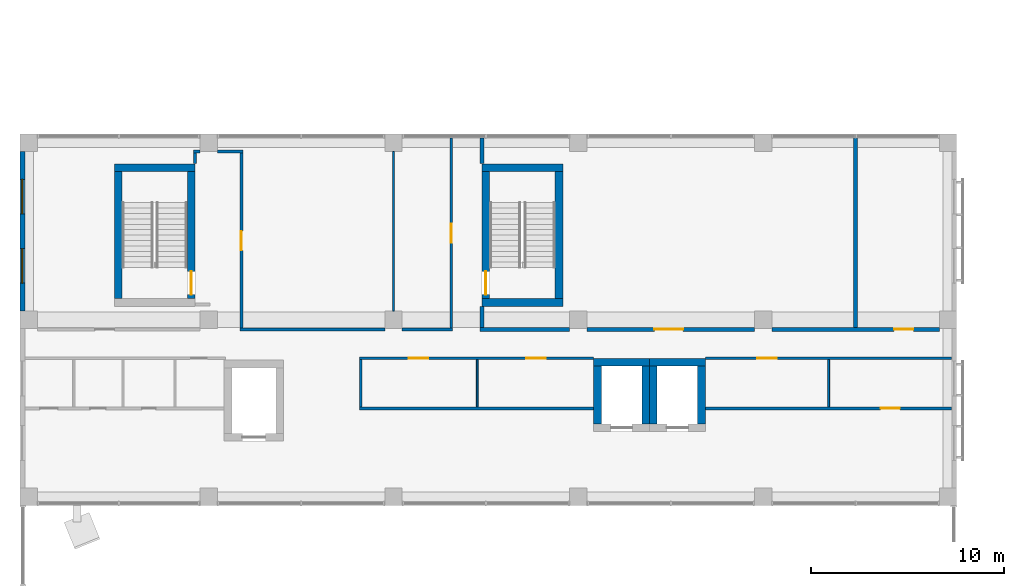
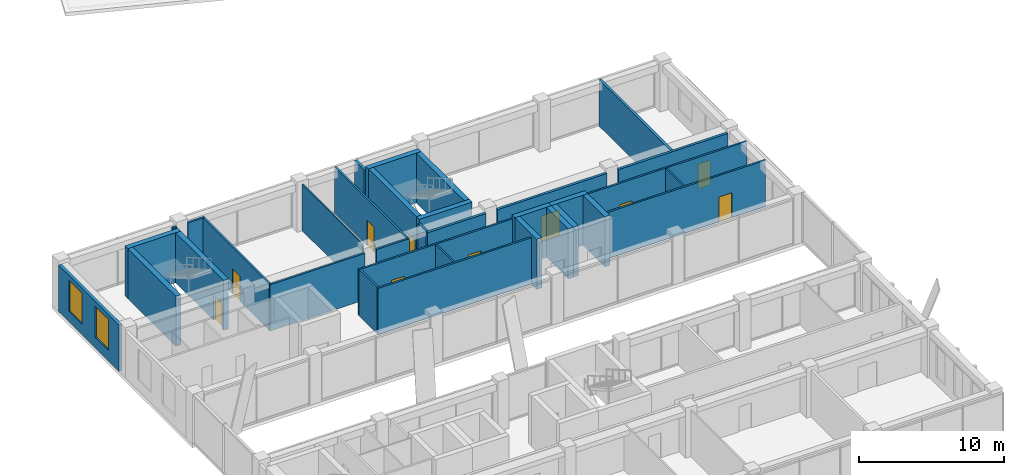
# One storey, part 29 of 36: 35 walls, 10 doors, 2 windows, 12 openings.
"""IFC4 building model written with IfcOpenShell, lengths in metres."""

from ifc_helpers import new_model, si_unit, direction, frame, frame_2d, origin, place, context, subcontext, project, spatial, rectangle, extrude, material, layer, layer_set, layer_usage, type_object, element, fill, save


model = new_model("IFC4")

# Units and contexts
model_context = context("Model", 3, precision=1e-05, world=origin(), true_north=direction((0.0, 1.0)))
body_context = subcontext(model_context, "Body", "Model", "MODEL_VIEW")
ifc_project = project(units=[si_unit("LENGTHUNIT", "METRE"), si_unit("AREAUNIT", "SQUARE_METRE"), si_unit("VOLUMEUNIT", "CUBIC_METRE"), si_unit("PLANEANGLEUNIT", "RADIAN"), si_unit("MASSUNIT", "GRAM", prefix="KILO")], contexts=[model_context])

# Site, building, storey
site_placement = place(None, origin())
site = spatial("IfcSite", under=ifc_project, at=site_placement, CompositionType="ELEMENT")
building_placement = place(site_placement, origin())
building = spatial("IfcBuilding", under=site, at=building_placement, Name="Nzadi Deep Aquarium and Research Tower", CompositionType="ELEMENT")
storey_placement = place(building_placement, frame((0.0, 0.0, 44.5)))
storey = spatial("IfcBuildingStorey", under=building, at=storey_placement, Name="L08", CompositionType="ELEMENT", Elevation=44.5)

# Wall, openings, windows
ifc_material_1 = material(Name="Concrete C35/45", Category="concrete")
ifc_layer_1 = layer(ifc_material_1, 0.14990234375, Category="cladding")
ifc_material_2 = material(Name="Mineral wool insulation")
ifc_layer_2 = layer(ifc_material_2, 0.070068359375, Category="insulation")
ifc_material_3 = material(Name="Gypsum board lining")
ifc_layer_3 = layer(ifc_material_3, 0.030029296875, Category="lining")
ifc_layer_set_1 = layer_set([ifc_layer_1, ifc_layer_2, ifc_layer_3], Name="Concrete C35/45, Mineral wool insulation, Gypsum board lining")
ifc_layer_usage = layer_usage(ifc_layer_set_1, "AXIS2", "POSITIVE", -0.125)
wall_type_1 = type_object("IfcWallType", Name="End wall board-formed concrete 250", PredefinedType="ELEMENTEDWALL", material=ifc_layer_set_1)
wall_1_placement = place(storey_placement, frame((-0.074462890625, 45.550048828125, 0.0), z_axis=(0.0, 0.0, 1.0), x_axis=(0.0, -1.0, 0.0)))
wall_1 = element("IfcWall", 1, at=wall_1_placement, inside=storey, type_object=wall_type_1, material=ifc_layer_usage, Name="End wall blade B west L08", PredefinedType="ELEMENTEDWALL", context=body_context, shape_type="SweptSolid", body=[
    extrude(rectangle(XDim=8.300048828125, YDim=0.25, at=frame_2d((4.14990234375, 0.0))), origin(), (0.0, 0.0, 1.0), 3.89990234375),
])
opening_1_placement = place(wall_1_placement, frame((5.050048828125, 0.0, 0.89990234375)))
opening_1 = element("IfcOpeningElement", 2, at=opening_1_placement, cuts=wall_1, Name="Opening WN01", PredefinedType="OPENING", context=body_context, shape_type="SweptSolid", body=[
    extrude(rectangle(XDim=1.800048828125, YDim=2.60009765625, at=frame_2d((0.89990234375, 1.300048828125))), frame((0.0, 0.135009765625, 0.0), z_axis=(0.0, -1.0, 0.0), x_axis=(1.0, 0.0, 0.0)), (0.0, 0.0, 1.0), 0.27001953125),
])
opening_2_placement = place(wall_1_placement, frame((1.449951171875, 0.0, 0.89990234375)))
opening_2 = element("IfcOpeningElement", 3, at=opening_2_placement, cuts=wall_1, Name="Opening WN01", PredefinedType="OPENING", context=body_context, shape_type="SweptSolid", body=[
    extrude(rectangle(XDim=1.800048828125, YDim=2.60009765625, at=frame_2d((0.89990234375, 1.300048828125))), frame((0.0, 0.135009765625, 0.0), z_axis=(0.0, -1.0, 0.0), x_axis=(1.0, 0.0, 0.0)), (0.0, 0.0, 1.0), 0.27001953125),
])
ifc_material_4 = material(Name="Aluminium window, sage tint glazing", Category="aluminium")
window_type = type_object("IfcWindowType", Name="Slot window 1800x2600 sill 900", PartitioningType="SINGLE_PANEL", PredefinedType="WINDOW", material=ifc_material_4)
window_1_placement = place(opening_1_placement, origin())
window_1 = element("IfcWindow", 4, at=window_1_placement, inside=storey, type_object=window_type, Name="Slot window L08 BW", OverallHeight=2.60009765625, OverallWidth=1.800048828125, PartitioningType="SINGLE_PANEL", PredefinedType="WINDOW", context=body_context, shape_type="SweptSolid", body=[
    extrude(rectangle(XDim=1.800048828125, YDim=2.60009765625, at=frame_2d((0.89990234375, 1.300048828125))), frame((0.0, 0.030029296875, 0.0), z_axis=(0.0, -1.0, 0.0), x_axis=(1.0, 0.0, 0.0)), (0.0, 0.0, 1.0), 0.06005859375),
])
fill(opening_1, window_1)
window_2_placement = place(opening_2_placement, origin())
window_2 = element("IfcWindow", 5, at=window_2_placement, inside=storey, type_object=window_type, Name="Slot window L08 BW", OverallHeight=2.60009765625, OverallWidth=1.800048828125, PartitioningType="SINGLE_PANEL", PredefinedType="WINDOW", context=body_context, shape_type="SweptSolid", body=[
    extrude(rectangle(XDim=1.800048828125, YDim=2.60009765625, at=frame_2d((0.89990234375, 1.300048828125))), frame((0.0, 0.030029296875, 0.0), z_axis=(0.0, -1.0, 0.0), x_axis=(1.0, 0.0, 0.0)), (0.0, 0.0, 1.0), 0.06005859375),
])
fill(opening_2, window_2)

# Walls
ifc_material_5 = material(Name="Blockwork masonry", Category="masonry")
ifc_layer_4 = layer(ifc_material_5, 0.10009765625)
ifc_layer_set_2 = layer_set([ifc_layer_4], Name="Blockwork masonry")
wall_type_2 = type_object("IfcWallType", Name="Partition 100 EI 30", PredefinedType="PARTITIONING", material=ifc_layer_set_2)
wall_2_placement = place(storey_placement, frame((19.199951171875, 37.25, 0.0), z_axis=(0.0, 0.0, 1.0), x_axis=(0.0, 1.0, 0.0)))
element("IfcWall", 6, at=wall_2_placement, inside=storey, type_object=wall_type_2, Name="W-Z1-L08-P025", PredefinedType="PARTITIONING", context=body_context, shape_type="SweptSolid", body=[
    extrude(rectangle(XDim=8.300048828125, YDim=0.10009765625, at=frame_2d((4.14990234375, 0.0))), origin(), (0.0, 0.0, 1.0), 3.89990234375),
])
for number, where, z_axis, x_axis, name in (
    (7, (23.550048828125, 32.27490234375, 0.0), (0.0, 0.0, 1.0), (0.0, 1.0, 0.0), "W-Z1-L08-P028"),
    (8, (41.800048828125, 32.27490234375, 0.0), (0.0, 0.0, 1.0), (0.0, 1.0, 0.0), "W-Z1-L08-P041"),
):
    element("IfcWall", number, at=place(storey_placement, frame(where, z_axis=z_axis, x_axis=x_axis)), inside=storey, type_object=wall_type_2, Name=name, PredefinedType="PARTITIONING", context=body_context, shape_type="SweptSolid", body=[
        extrude(rectangle(XDim=2.4501953125, YDim=0.10009765625, at=frame_2d((1.22509765625, 0.0))), origin(), (0.0, 0.0, 1.0), 3.89990234375),
    ])
ifc_material_6 = material(Name="Blockwork masonry", Category="masonry")
ifc_layer_5 = layer(ifc_material_6, 0.14990234375)
ifc_layer_set_3 = layer_set([ifc_layer_5], Name="Blockwork masonry")
wall_type_3 = type_object("IfcWallType", Name="Partition 150 EI 60", PredefinedType="PARTITIONING", material=ifc_layer_set_3)
wall_3_placement = place(storey_placement, frame((8.89990234375, 44.906005859375, 0.0), z_axis=(0.0, 0.0, 1.0), x_axis=(0.0, 1.0, 0.0)))
element("IfcWall", 9, at=wall_3_placement, inside=storey, type_object=wall_type_3, Name="W-Z1-L08-P014", PredefinedType="PARTITIONING", context=body_context, shape_type="SweptSolid", body=[
    extrude(rectangle(XDim=0.569091796875, YDim=0.14990234375, at=frame_2d((0.28466796875, 0.0))), origin(), (0.0, 0.0, 1.0), 3.89990234375),
])
wall_4_placement = place(storey_placement, frame((8.824951171875, 45.550048828125, 0.0), z_axis=(0.0, 0.0, 1.0), x_axis=(1.0, 0.0, 0.0)))
element("IfcWall", 10, at=wall_4_placement, inside=storey, type_object=wall_type_3, Name="W-Z1-L08-P015", PredefinedType="PARTITIONING", context=body_context, shape_type="SweptSolid", body=[
    extrude(rectangle(XDim=0.324951171875, YDim=0.14990234375, at=frame_2d((0.16259765625, 0.0))), origin(), (0.0, 0.0, 1.0), 3.89990234375),
])
wall_5_placement = place(storey_placement, frame((10.050048828125, 45.550048828125, 0.0), z_axis=(0.0, 0.0, 1.0), x_axis=(1.0, 0.0, 0.0)))
element("IfcWall", 11, at=wall_5_placement, inside=storey, type_object=wall_type_3, Name="W-Z1-L08-P018", PredefinedType="PARTITIONING", context=body_context, shape_type="SweptSolid", body=[
    extrude(rectangle(XDim=1.324951171875, YDim=0.14990234375, at=frame_2d((0.66259765625, 0.0))), origin(), (0.0, 0.0, 1.0), 3.89990234375),
])
wall_6_placement = place(storey_placement, frame((11.22509765625, 36.300048828125, 0.0), z_axis=(0.0, 0.0, 1.0), x_axis=(1.0, 0.0, 0.0)))
element("IfcWall", 12, at=wall_6_placement, inside=storey, type_object=wall_type_3, Name="W-Z1-L08-P020", PredefinedType="PARTITIONING", context=body_context, shape_type="SweptSolid", body=[
    extrude(rectangle(XDim=7.52490234375, YDim=0.14990234375, at=frame_2d((3.762451171875, 0.0))), origin(), (0.0, 0.0, 1.0), 3.89990234375),
])

# Wall, opening, door
wall_7_placement = place(storey_placement, frame((11.300048828125, 36.375, 0.0), z_axis=(0.0, 0.0, 1.0), x_axis=(0.0, 1.0, 0.0)))
wall_7 = element("IfcWall", 13, at=wall_7_placement, inside=storey, type_object=wall_type_3, Name="W-Z1-L08-P021", PredefinedType="PARTITIONING", context=body_context, shape_type="SweptSolid", body=[
    extrude(rectangle(XDim=9.10009765625, YDim=0.14990234375, at=frame_2d((4.550048828125, 0.0))), origin(), (0.0, 0.0, 1.0), 3.89990234375),
])
opening_3_placement = place(wall_7_placement, frame((4.02490234375, 0.0, 0.0)))
opening_3 = element("IfcOpeningElement", 14, at=opening_3_placement, cuts=wall_7, Name="Opening D091023", PredefinedType="OPENING", context=body_context, shape_type="SweptSolid", body=[
    extrude(rectangle(XDim=1.0, YDim=2.10009765625, at=frame_2d((0.5, 1.050048828125))), frame((0.0, 0.0849609375, 0.0), z_axis=(0.0, -1.0, 0.0), x_axis=(1.0, 0.0, 0.0)), (0.0, 0.0, 1.0), 0.169921875),
])
ifc_material_7 = material(Name="Fire-rated steel door", Category="steel")
ifc_layer_6 = layer(ifc_material_7, 0.050048828125)
ifc_layer_set_4 = layer_set([ifc_layer_6], Name="Fire-rated steel door")
door_type_1 = type_object("IfcDoorType", Name="Door 1000x2100 EI 60 single", OperationType="SINGLE_SWING_LEFT", PredefinedType="DOOR", material=ifc_layer_set_4)
door_1_placement = place(opening_3_placement, origin())
door_1 = element("IfcDoor", 15, at=door_1_placement, inside=storey, type_object=door_type_1, Name="D091023", OperationType="SINGLE_SWING_LEFT", OverallHeight=2.10009765625, OverallWidth=1.0, PredefinedType="DOOR", context=body_context, shape_type="SweptSolid", body=[
    extrude(rectangle(XDim=1.0, YDim=2.10009765625, at=frame_2d((0.5, 1.050048828125))), frame((0.0, 0.02490234375, 0.0), z_axis=(0.0, -1.0, 0.0), x_axis=(1.0, 0.0, 0.0)), (0.0, 0.0, 1.0), 0.050048828125),
])
fill(opening_3, door_1)

# Walls
wall_8_placement = place(storey_placement, frame((17.425048828125, 32.199951171875, 0.0), z_axis=(0.0, 0.0, 1.0), x_axis=(1.0, 0.0, 0.0)))
element("IfcWall", 16, at=wall_8_placement, inside=storey, type_object=wall_type_3, Name="W-Z1-L08-P022", PredefinedType="PARTITIONING", context=body_context, shape_type="SweptSolid", body=[
    extrude(rectangle(XDim=12.1689453125, YDim=0.14990234375, at=frame_2d((6.08447265625, 0.0))), origin(), (0.0, 0.0, 1.0), 3.89990234375),
])
wall_9_placement = place(storey_placement, frame((17.5, 32.27490234375, 0.0), z_axis=(0.0, 0.0, 1.0), x_axis=(0.0, 1.0, 0.0)))
element("IfcWall", 17, at=wall_9_placement, inside=storey, type_object=wall_type_3, Name="W-Z1-L08-P023", PredefinedType="PARTITIONING", context=body_context, shape_type="SweptSolid", body=[
    extrude(rectangle(XDim=2.4501953125, YDim=0.14990234375, at=frame_2d((1.22509765625, 0.0))), origin(), (0.0, 0.0, 1.0), 3.89990234375),
])

# Wall, openings, doors
wall_10_placement = place(storey_placement, frame((17.425048828125, 34.800048828125, 0.0), z_axis=(0.0, 0.0, 1.0), x_axis=(1.0, 0.0, 0.0)))
wall_10 = element("IfcWall", 18, at=wall_10_placement, inside=storey, type_object=wall_type_3, Name="W-Z1-L08-P024", PredefinedType="PARTITIONING", context=body_context, shape_type="SweptSolid", body=[
    extrude(rectangle(XDim=12.1689453125, YDim=0.14990234375, at=frame_2d((6.08447265625, 0.0))), origin(), (0.0, 0.0, 1.0), 3.89990234375),
])
opening_4_placement = place(wall_10_placement, frame((2.574951171875, 0.0, 0.0)))
opening_4 = element("IfcOpeningElement", 19, at=opening_4_placement, cuts=wall_10, Name="Opening D091018", PredefinedType="OPENING", context=body_context, shape_type="SweptSolid", body=[
    extrude(rectangle(XDim=1.0, YDim=2.10009765625, at=frame_2d((0.5, 1.050048828125))), frame((0.0, 0.0849609375, 0.0), z_axis=(0.0, -1.0, 0.0), x_axis=(1.0, 0.0, 0.0)), (0.0, 0.0, 1.0), 0.169921875),
])
opening_5_placement = place(wall_10_placement, frame((8.675048828125, 0.0, 0.0)))
opening_5 = element("IfcOpeningElement", 20, at=opening_5_placement, cuts=wall_10, Name="Opening D091019", PredefinedType="OPENING", context=body_context, shape_type="SweptSolid", body=[
    extrude(rectangle(XDim=1.0, YDim=2.10009765625, at=frame_2d((0.5, 1.050048828125))), frame((0.0, 0.0849609375, 0.0), z_axis=(0.0, -1.0, 0.0), x_axis=(1.0, 0.0, 0.0)), (0.0, 0.0, 1.0), 0.169921875),
])
door_2_placement = place(opening_4_placement, origin())
door_2 = element("IfcDoor", 21, at=door_2_placement, inside=storey, type_object=door_type_1, Name="D091018", OperationType="SINGLE_SWING_LEFT", OverallHeight=2.10009765625, OverallWidth=1.0, PredefinedType="DOOR", context=body_context, shape_type="SweptSolid", body=[
    extrude(rectangle(XDim=1.0, YDim=2.10009765625, at=frame_2d((0.5, 1.050048828125))), frame((0.0, 0.02490234375, 0.0), z_axis=(0.0, -1.0, 0.0), x_axis=(1.0, 0.0, 0.0)), (0.0, 0.0, 1.0), 0.050048828125),
])
fill(opening_4, door_2)
door_3_placement = place(opening_5_placement, origin())
door_3 = element("IfcDoor", 22, at=door_3_placement, inside=storey, type_object=door_type_1, Name="D091019", OperationType="SINGLE_SWING_LEFT", OverallHeight=2.10009765625, OverallWidth=1.0, PredefinedType="DOOR", context=body_context, shape_type="SweptSolid", body=[
    extrude(rectangle(XDim=1.0, YDim=2.10009765625, at=frame_2d((0.5, 1.050048828125))), frame((0.0, 0.02490234375, 0.0), z_axis=(0.0, -1.0, 0.0), x_axis=(1.0, 0.0, 0.0)), (0.0, 0.0, 1.0), 0.050048828125),
])
fill(opening_5, door_3)

# Wall
wall_11_placement = place(storey_placement, frame((19.64990234375, 36.300048828125, 0.0), z_axis=(0.0, 0.0, 1.0), x_axis=(1.0, 0.0, 0.0)))
element("IfcWall", 23, at=wall_11_placement, inside=storey, type_object=wall_type_3, Name="W-Z1-L08-P026", PredefinedType="PARTITIONING", context=body_context, shape_type="SweptSolid", body=[
    extrude(rectangle(XDim=2.625, YDim=0.14990234375, at=frame_2d((1.3125, 0.0))), origin(), (0.0, 0.0, 1.0), 3.89990234375),
])

# Wall, opening, door
wall_12_placement = place(storey_placement, frame((22.199951171875, 36.375, 0.0), z_axis=(0.0, 0.0, 1.0), x_axis=(0.0, 1.0, 0.0)))
wall_12 = element("IfcWall", 24, at=wall_12_placement, inside=storey, type_object=wall_type_3, Name="W-Z1-L08-P027", PredefinedType="PARTITIONING", context=body_context, shape_type="SweptSolid", body=[
    extrude(rectangle(XDim=9.868896484375, YDim=0.14990234375, at=frame_2d((4.9345703125, 0.0))), origin(), (0.0, 0.0, 1.0), 3.89990234375),
])
opening_6_placement = place(wall_12_placement, frame((4.425048828125, 0.0, 0.0)))
opening_6 = element("IfcOpeningElement", 25, at=opening_6_placement, cuts=wall_12, Name="Opening D091024", PredefinedType="OPENING", context=body_context, shape_type="SweptSolid", body=[
    extrude(rectangle(XDim=1.0, YDim=2.10009765625, at=frame_2d((0.5, 1.050048828125))), frame((0.0, 0.0849609375, 0.0), z_axis=(0.0, -1.0, 0.0), x_axis=(1.0, 0.0, 0.0)), (0.0, 0.0, 1.0), 0.169921875),
])
door_4_placement = place(opening_6_placement, origin())
door_4 = element("IfcDoor", 26, at=door_4_placement, inside=storey, type_object=door_type_1, Name="D091024", OperationType="SINGLE_SWING_RIGHT", OverallHeight=2.10009765625, OverallWidth=1.0, PredefinedType="DOOR", context=body_context, shape_type="SweptSolid", body=[
    extrude(rectangle(XDim=1.0, YDim=2.10009765625, at=frame_2d((0.5, 1.050048828125))), frame((0.0, 0.02490234375, 0.0), z_axis=(0.0, -1.0, 0.0), x_axis=(1.0, 0.0, 0.0)), (0.0, 0.0, 1.0), 0.050048828125),
])
fill(opening_6, door_4)

wall_13_placement = place(storey_placement, frame((35.406005859375, 32.199951171875, 0.0), z_axis=(0.0, 0.0, 1.0), x_axis=(1.0, 0.0, 0.0)))
wall_13 = element("IfcWall", 27, at=wall_13_placement, inside=storey, type_object=wall_type_3, Name="W-Z1-L08-P037", PredefinedType="PARTITIONING", context=body_context, shape_type="SweptSolid", body=[
    extrude(rectangle(XDim=12.7880859375, YDim=0.14990234375, at=frame_2d((6.39404296875, 0.0))), origin(), (0.0, 0.0, 1.0), 3.89990234375),
])
opening_7_placement = place(wall_13_placement, frame((9.093994140625, 0.0, 0.0)))
opening_7 = element("IfcOpeningElement", 28, at=opening_7_placement, cuts=wall_13, Name="Opening D091021", PredefinedType="OPENING", context=body_context, shape_type="SweptSolid", body=[
    extrude(rectangle(XDim=1.0, YDim=2.10009765625, at=frame_2d((0.5, 1.050048828125))), frame((0.0, 0.0849609375, 0.0), z_axis=(0.0, -1.0, 0.0), x_axis=(1.0, 0.0, 0.0)), (0.0, 0.0, 1.0), 0.169921875),
])
door_5_placement = place(opening_7_placement, origin())
door_5 = element("IfcDoor", 29, at=door_5_placement, inside=storey, type_object=door_type_1, Name="D091021", OperationType="SINGLE_SWING_RIGHT", OverallHeight=2.10009765625, OverallWidth=1.0, PredefinedType="DOOR", context=body_context, shape_type="SweptSolid", body=[
    extrude(rectangle(XDim=1.0, YDim=2.10009765625, at=frame_2d((0.5, 1.050048828125))), frame((0.0, 0.02490234375, 0.0), z_axis=(0.0, -1.0, 0.0), x_axis=(1.0, 0.0, 0.0)), (0.0, 0.0, 1.0), 0.050048828125),
])
fill(opening_7, door_5)

wall_14_placement = place(storey_placement, frame((35.406005859375, 34.800048828125, 0.0), z_axis=(0.0, 0.0, 1.0), x_axis=(1.0, 0.0, 0.0)))
wall_14 = element("IfcWall", 30, at=wall_14_placement, inside=storey, type_object=wall_type_3, Name="W-Z1-L08-P038", PredefinedType="PARTITIONING", context=body_context, shape_type="SweptSolid", body=[
    extrude(rectangle(XDim=12.7880859375, YDim=0.14990234375, at=frame_2d((6.39404296875, 0.0))), origin(), (0.0, 0.0, 1.0), 3.89990234375),
])
opening_8_placement = place(wall_14_placement, frame((2.694091796875, 0.0, 0.0)))
opening_8 = element("IfcOpeningElement", 31, at=opening_8_placement, cuts=wall_14, Name="Opening D091020", PredefinedType="OPENING", context=body_context, shape_type="SweptSolid", body=[
    extrude(rectangle(XDim=1.0, YDim=2.10009765625, at=frame_2d((0.5, 1.050048828125))), frame((0.0, 0.0849609375, 0.0), z_axis=(0.0, -1.0, 0.0), x_axis=(1.0, 0.0, 0.0)), (0.0, 0.0, 1.0), 0.169921875),
])
door_6_placement = place(opening_8_placement, origin())
door_6 = element("IfcDoor", 32, at=door_6_placement, inside=storey, type_object=door_type_1, Name="D091020", OperationType="SINGLE_SWING_RIGHT", OverallHeight=2.10009765625, OverallWidth=1.0, PredefinedType="DOOR", context=body_context, shape_type="SweptSolid", body=[
    extrude(rectangle(XDim=1.0, YDim=2.10009765625, at=frame_2d((0.5, 1.050048828125))), frame((0.0, 0.02490234375, 0.0), z_axis=(0.0, -1.0, 0.0), x_axis=(1.0, 0.0, 0.0)), (0.0, 0.0, 1.0), 0.050048828125),
])
fill(opening_8, door_6)

# Walls
ifc_material_8 = material(Name="Blockwork masonry", Category="masonry")
ifc_layer_7 = layer(ifc_material_8, 0.199951171875)
ifc_layer_set_5 = layer_set([ifc_layer_7], Name="Blockwork masonry")
wall_type_4 = type_object("IfcWallType", Name="Partition 200 EI 120", PredefinedType="PARTITIONING", material=ifc_layer_set_5)
wall_15_placement = place(storey_placement, frame((23.699951171875, 36.300048828125, 0.0), z_axis=(0.0, 0.0, 1.0), x_axis=(1.0, 0.0, 0.0)))
element("IfcWall", 33, at=wall_15_placement, inside=storey, type_object=wall_type_4, Name="W-Z1-L08-P029", PredefinedType="PARTITIONING", context=body_context, shape_type="SweptSolid", body=[
    extrude(rectangle(XDim=4.650146484375, YDim=0.199951171875, at=frame_2d((2.3251953125, 0.0))), origin(), (0.0, 0.0, 1.0), 3.89990234375),
])
wall_16_placement = place(storey_placement, frame((23.800048828125, 36.39990234375, 0.0), z_axis=(0.0, 0.0, 1.0), x_axis=(0.0, 1.0, 0.0)))
element("IfcWall", 34, at=wall_16_placement, inside=storey, type_object=wall_type_4, Name="W-Z1-L08-P030", PredefinedType="PARTITIONING", context=body_context, shape_type="SweptSolid", body=[
    extrude(rectangle(XDim=1.093994140625, YDim=0.199951171875, at=frame_2d((0.546875, 0.0))), origin(), (0.0, 0.0, 1.0), 3.89990234375),
])
wall_17_placement = place(storey_placement, frame((23.800048828125, 44.906005859375, 0.0), z_axis=(0.0, 0.0, 1.0), x_axis=(0.0, 1.0, 0.0)))
element("IfcWall", 35, at=wall_17_placement, inside=storey, type_object=wall_type_4, Name="W-Z1-L08-P031", PredefinedType="PARTITIONING", context=body_context, shape_type="SweptSolid", body=[
    extrude(rectangle(XDim=1.337890625, YDim=0.199951171875, at=frame_2d((0.6689453125, 0.0))), origin(), (0.0, 0.0, 1.0), 3.89990234375),
])

# Wall, opening, door
wall_18_placement = place(storey_placement, frame((29.25, 36.300048828125, 0.0), z_axis=(0.0, 0.0, 1.0), x_axis=(1.0, 0.0, 0.0)))
wall_18 = element("IfcWall", 36, at=wall_18_placement, inside=storey, type_object=wall_type_4, Name="W-Z1-L08-P035", PredefinedType="PARTITIONING", context=body_context, shape_type="SweptSolid", body=[
    extrude(rectangle(XDim=8.699951171875, YDim=0.199951171875, at=frame_2d((4.35009765625, 0.0))), origin(), (0.0, 0.0, 1.0), 3.89990234375),
])
opening_9_placement = place(wall_18_placement, frame((3.5, 0.0, 0.0)))
opening_9 = element("IfcOpeningElement", 37, at=opening_9_placement, cuts=wall_18, Name="Opening D091025", PredefinedType="OPENING", context=body_context, shape_type="SweptSolid", body=[
    extrude(rectangle(XDim=1.5, YDim=2.10009765625, at=frame_2d((0.75, 1.050048828125))), frame((0.0, 0.110107421875, 0.0), z_axis=(0.0, -1.0, 0.0), x_axis=(1.0, 0.0, 0.0)), (0.0, 0.0, 1.0), 0.22021484375),
])
ifc_material_9 = material(Name="Fire-rated steel door", Category="steel")
ifc_layer_8 = layer(ifc_material_9, 0.050048828125)
ifc_layer_set_6 = layer_set([ifc_layer_8], Name="Fire-rated steel door")
door_type_2 = type_object("IfcDoorType", Name="Door 1500x2100 EI 120 double", OperationType="DOUBLE_DOOR_SINGLE_SWING", PredefinedType="DOOR", material=ifc_layer_set_6)
door_7_placement = place(opening_9_placement, origin())
door_7 = element("IfcDoor", 38, at=door_7_placement, inside=storey, type_object=door_type_2, Name="D091025", OperationType="DOUBLE_DOOR_SINGLE_SWING", OverallHeight=2.10009765625, OverallWidth=1.5, PredefinedType="DOOR", context=body_context, shape_type="SweptSolid", body=[
    extrude(rectangle(XDim=1.5, YDim=2.10009765625, at=frame_2d((0.75, 1.050048828125))), frame((0.0, 0.02490234375, 0.0), z_axis=(0.0, -1.0, 0.0), x_axis=(1.0, 0.0, 0.0)), (0.0, 0.0, 1.0), 0.050048828125),
])
fill(opening_9, door_7)

wall_19_placement = place(storey_placement, frame((38.85009765625, 36.300048828125, 0.0), z_axis=(0.0, 0.0, 1.0), x_axis=(1.0, 0.0, 0.0)))
wall_19 = element("IfcWall", 39, at=wall_19_placement, inside=storey, type_object=wall_type_4, Name="W-Z1-L08-P040", PredefinedType="PARTITIONING", context=body_context, shape_type="SweptSolid", body=[
    extrude(rectangle(XDim=8.699951171875, YDim=0.199951171875, at=frame_2d((4.35009765625, 0.0))), origin(), (0.0, 0.0, 1.0), 3.89990234375),
])
opening_10_placement = place(wall_19_placement, frame((6.35009765625, 0.0, 0.0)))
opening_10 = element("IfcOpeningElement", 40, at=opening_10_placement, cuts=wall_19, Name="Opening D091026", PredefinedType="OPENING", context=body_context, shape_type="SweptSolid", body=[
    extrude(rectangle(XDim=1.0, YDim=2.10009765625, at=frame_2d((0.5, 1.050048828125))), frame((0.0, 0.110107421875, 0.0), z_axis=(0.0, -1.0, 0.0), x_axis=(1.0, 0.0, 0.0)), (0.0, 0.0, 1.0), 0.22021484375),
])
ifc_material_10 = material(Name="Fire-rated steel door", Category="steel")
ifc_layer_9 = layer(ifc_material_10, 0.050048828125)
ifc_layer_set_7 = layer_set([ifc_layer_9], Name="Fire-rated steel door")
door_type_3 = type_object("IfcDoorType", Name="Door 1000x2100 EI 120 single", OperationType="SINGLE_SWING_LEFT", PredefinedType="DOOR", material=ifc_layer_set_7)
door_8_placement = place(opening_10_placement, origin())
door_8 = element("IfcDoor", 41, at=door_8_placement, inside=storey, type_object=door_type_3, Name="D091026", OperationType="SINGLE_SWING_RIGHT", OverallHeight=2.10009765625, OverallWidth=1.0, PredefinedType="DOOR", context=body_context, shape_type="SweptSolid", body=[
    extrude(rectangle(XDim=1.0, YDim=2.10009765625, at=frame_2d((0.5, 1.050048828125))), frame((0.0, 0.02490234375, 0.0), z_axis=(0.0, -1.0, 0.0), x_axis=(1.0, 0.0, 0.0)), (0.0, 0.0, 1.0), 0.050048828125),
])
fill(opening_10, door_8)

# Walls
wall_20_placement = place(storey_placement, frame((43.199951171875, 36.39990234375, 0.0), z_axis=(0.0, 0.0, 1.0), x_axis=(0.0, 1.0, 0.0)))
element("IfcWall", 42, at=wall_20_placement, inside=storey, type_object=wall_type_4, Name="W-Z1-L08-P042", PredefinedType="PARTITIONING", context=body_context, shape_type="SweptSolid", body=[
    extrude(rectangle(XDim=9.843994140625, YDim=0.199951171875, at=frame_2d((4.921875, 0.0))), origin(), (0.0, 0.0, 1.0), 3.89990234375),
])
ifc_material_11 = material(Name="Concrete C35/45", Category="concrete")
ifc_layer_10 = layer(ifc_material_11, 0.39990234375)
ifc_layer_set_8 = layer_set([ifc_layer_10], Name="Concrete C35/45")
wall_type_5 = type_object("IfcWallType", Name="RC core wall 400", PredefinedType="SHEAR", material=ifc_layer_set_8)
wall_21_placement = place(storey_placement, frame((4.699951171875, 44.699951171875, 0.0), z_axis=(0.0, 0.0, 1.0), x_axis=(1.0, 0.0, 0.0)))
element("IfcWall", 43, at=wall_21_placement, inside=storey, type_object=wall_type_5, Name="W-CORE-ST-Z1-NW-L08-N", PredefinedType="SHEAR", context=body_context, shape_type="SweptSolid", body=[
    extrude(rectangle(XDim=4.199951171875, YDim=0.39990234375, at=frame_2d((2.10009765625, 0.0))), origin(), (0.0, 0.0, 1.0), 4.199951171875),
])
wall_22_placement = place(storey_placement, frame((4.89990234375, 37.89990234375, 0.0), z_axis=(0.0, 0.0, 1.0), x_axis=(0.0, 1.0, 0.0)))
element("IfcWall", 44, at=wall_22_placement, inside=storey, type_object=wall_type_5, Name="W-CORE-ST-Z1-NW-L08-W", PredefinedType="SHEAR", context=body_context, shape_type="SweptSolid", body=[
    extrude(rectangle(XDim=6.60009765625, YDim=0.39990234375, at=frame_2d((3.300048828125, 0.0))), origin(), (0.0, 0.0, 1.0), 4.199951171875),
])

# Wall, opening, door
wall_23_placement = place(storey_placement, frame((8.699951171875, 37.89990234375, 0.0), z_axis=(0.0, 0.0, 1.0), x_axis=(0.0, 1.0, 0.0)))
wall_23 = element("IfcWall", 45, at=wall_23_placement, inside=storey, type_object=wall_type_5, Name="W-CORE-ST-Z1-NW-L08-E", PredefinedType="SHEAR", context=body_context, shape_type="SweptSolid", body=[
    extrude(rectangle(XDim=6.60009765625, YDim=0.39990234375, at=frame_2d((3.300048828125, 0.0))), origin(), (0.0, 0.0, 1.0), 4.199951171875),
])
opening_11_placement = place(wall_23_placement, frame((0.2099609375, 0.0, 0.0)))
opening_11 = element("IfcOpeningElement", 46, at=opening_11_placement, cuts=wall_23, Name="Opening DS-Z1-NW-L08", PredefinedType="OPENING", context=body_context, shape_type="SweptSolid", body=[
    extrude(rectangle(XDim=1.199951171875, YDim=2.10009765625, at=frame_2d((0.60009765625, 1.050048828125))), frame((0.0, 0.2099609375, 0.0), z_axis=(0.0, -1.0, 0.0), x_axis=(1.0, 0.0, 0.0)), (0.0, 0.0, 1.0), 0.419921875),
])
ifc_material_12 = material(Name="Steel, powder coated", Category="steel")
door_type_4 = type_object("IfcDoorType", Name="STAIR DOOR 1200x2100 EI 60", OperationType="SINGLE_SWING_LEFT", PredefinedType="DOOR", material=ifc_material_12)
door_9_placement = place(opening_11_placement, origin())
door_9 = element("IfcDoor", 47, at=door_9_placement, inside=storey, type_object=door_type_4, Name="Stair door ST-Z1-NW L08", OperationType="SINGLE_SWING_RIGHT", OverallHeight=2.10009765625, OverallWidth=1.199951171875, PredefinedType="DOOR", context=body_context, shape_type="SweptSolid", body=[
    extrude(rectangle(XDim=1.199951171875, YDim=2.10009765625, at=frame_2d((0.60009765625, 1.050048828125))), frame((0.0, 0.02490234375, 0.0), z_axis=(0.0, -1.0, 0.0), x_axis=(1.0, 0.0, 0.0)), (0.0, 0.0, 1.0), 0.050048828125),
])
fill(opening_11, door_9)

# Walls
for number, where, z_axis, x_axis, name in (
    (48, (23.800048828125, 37.699951171875, 0.0), (0.0, 0.0, 1.0), (1.0, 0.0, 0.0), "W-CORE-ST-Z1-NE-L08-S"),
    (49, (23.800048828125, 44.699951171875, 0.0), (0.0, 0.0, 1.0), (1.0, 0.0, 0.0), "W-CORE-ST-Z1-NE-L08-N"),
):
    element("IfcWall", number, at=place(storey_placement, frame(where, z_axis=z_axis, x_axis=x_axis)), inside=storey, type_object=wall_type_5, Name=name, PredefinedType="SHEAR", context=body_context, shape_type="SweptSolid", body=[
        extrude(rectangle(XDim=4.199951171875, YDim=0.39990234375, at=frame_2d((2.10009765625, 0.0))), origin(), (0.0, 0.0, 1.0), 4.199951171875),
    ])

# Wall, opening, door
wall_24_placement = place(storey_placement, frame((24.0, 37.89990234375, 0.0), z_axis=(0.0, 0.0, 1.0), x_axis=(0.0, 1.0, 0.0)))
wall_24 = element("IfcWall", 50, at=wall_24_placement, inside=storey, type_object=wall_type_5, Name="W-CORE-ST-Z1-NE-L08-W", PredefinedType="SHEAR", context=body_context, shape_type="SweptSolid", body=[
    extrude(rectangle(XDim=6.60009765625, YDim=0.39990234375, at=frame_2d((3.300048828125, 0.0))), origin(), (0.0, 0.0, 1.0), 4.199951171875),
])
opening_12_placement = place(wall_24_placement, frame((0.2099609375, 0.0, 0.0)))
opening_12 = element("IfcOpeningElement", 51, at=opening_12_placement, cuts=wall_24, Name="Opening DS-Z1-NE-L08", PredefinedType="OPENING", context=body_context, shape_type="SweptSolid", body=[
    extrude(rectangle(XDim=1.199951171875, YDim=2.10009765625, at=frame_2d((0.60009765625, 1.050048828125))), frame((0.0, 0.2099609375, 0.0), z_axis=(0.0, -1.0, 0.0), x_axis=(1.0, 0.0, 0.0)), (0.0, 0.0, 1.0), 0.419921875),
])
door_10_placement = place(opening_12_placement, origin())
door_10 = element("IfcDoor", 52, at=door_10_placement, inside=storey, type_object=door_type_4, Name="Stair door ST-Z1-NE L08", OperationType="SINGLE_SWING_LEFT", OverallHeight=2.10009765625, OverallWidth=1.199951171875, PredefinedType="DOOR", context=body_context, shape_type="SweptSolid", body=[
    extrude(rectangle(XDim=1.199951171875, YDim=2.10009765625, at=frame_2d((0.60009765625, 1.050048828125))), frame((0.0, 0.02490234375, 0.0), z_axis=(0.0, -1.0, 0.0), x_axis=(1.0, 0.0, 0.0)), (0.0, 0.0, 1.0), 0.050048828125),
])
fill(opening_12, door_10)

# Walls
wall_25_placement = place(storey_placement, frame((27.800048828125, 37.89990234375, 0.0), z_axis=(0.0, 0.0, 1.0), x_axis=(0.0, 1.0, 0.0)))
element("IfcWall", 53, at=wall_25_placement, inside=storey, type_object=wall_type_5, Name="W-CORE-ST-Z1-NE-L08-E", PredefinedType="SHEAR", context=body_context, shape_type="SweptSolid", body=[
    extrude(rectangle(XDim=6.60009765625, YDim=0.39990234375, at=frame_2d((3.300048828125, 0.0))), origin(), (0.0, 0.0, 1.0), 4.199951171875),
])
wall_26_placement = place(storey_placement, frame((29.60009765625, 34.60009765625, 0.0), z_axis=(0.0, 0.0, 1.0), x_axis=(1.0, 0.0, 0.0)))
element("IfcWall", 54, at=wall_26_placement, inside=storey, type_object=wall_type_5, Name="W-CORE-TL3-L08-N", PredefinedType="SHEAR", context=body_context, shape_type="SweptSolid", body=[
    extrude(rectangle(XDim=2.89990234375, YDim=0.39990234375, at=frame_2d((1.449951171875, 0.0))), origin(), (0.0, 0.0, 1.0), 4.199951171875),
])
for number, where, z_axis, x_axis, name in (
    (55, (29.800048828125, 31.39990234375, 0.0), (0.0, 0.0, 1.0), (0.0, 1.0, 0.0), "W-CORE-TL3-L08-W"),
    (56, (32.300048828125, 31.39990234375, 0.0), (0.0, 0.0, 1.0), (0.0, 1.0, 0.0), "W-CORE-TL3-L08-E"),
):
    element("IfcWall", number, at=place(storey_placement, frame(where, z_axis=z_axis, x_axis=x_axis)), inside=storey, type_object=wall_type_5, Name=name, PredefinedType="SHEAR", context=body_context, shape_type="SweptSolid", body=[
        extrude(rectangle(XDim=3.0, YDim=0.39990234375, at=frame_2d((1.5, 0.0))), origin(), (0.0, 0.0, 1.0), 4.199951171875),
    ])
wall_27_placement = place(storey_placement, frame((32.5, 34.60009765625, 0.0), z_axis=(0.0, 0.0, 1.0), x_axis=(1.0, 0.0, 0.0)))
element("IfcWall", 57, at=wall_27_placement, inside=storey, type_object=wall_type_5, Name="W-CORE-TL4-L08-N", PredefinedType="SHEAR", context=body_context, shape_type="SweptSolid", body=[
    extrude(rectangle(XDim=2.89990234375, YDim=0.39990234375, at=frame_2d((1.449951171875, 0.0))), origin(), (0.0, 0.0, 1.0), 4.199951171875),
])
for number, where, z_axis, x_axis, name in (
    (58, (32.699951171875, 31.39990234375, 0.0), (0.0, 0.0, 1.0), (0.0, 1.0, 0.0), "W-CORE-TL4-L08-W"),
    (59, (35.199951171875, 31.39990234375, 0.0), (0.0, 0.0, 1.0), (0.0, 1.0, 0.0), "W-CORE-TL4-L08-E"),
):
    element("IfcWall", number, at=place(storey_placement, frame(where, z_axis=z_axis, x_axis=x_axis)), inside=storey, type_object=wall_type_5, Name=name, PredefinedType="SHEAR", context=body_context, shape_type="SweptSolid", body=[
        extrude(rectangle(XDim=3.0, YDim=0.39990234375, at=frame_2d((1.5, 0.0))), origin(), (0.0, 0.0, 1.0), 4.199951171875),
    ])

save(model, "model.ifc")
